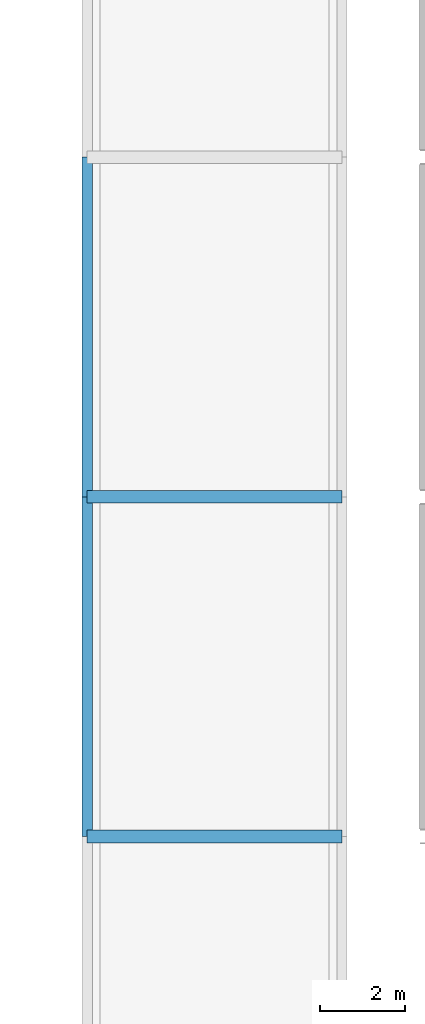
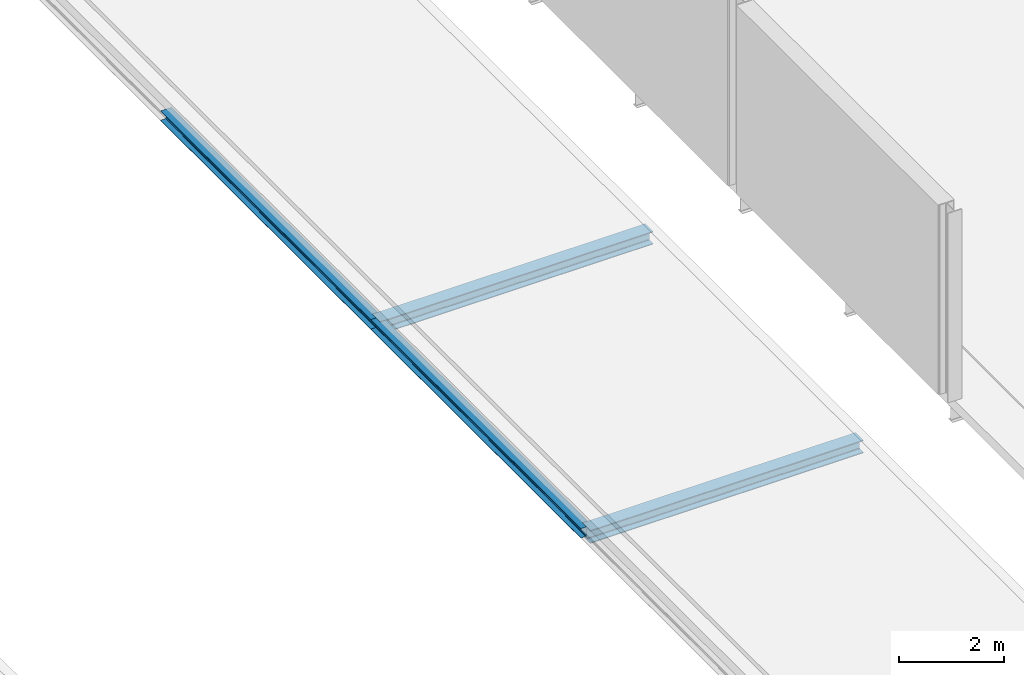
# One storey, part 65 of 153: 4 beams.
"""IFC4 building model written with IfcOpenShell, lengths in metres."""

import ifcopenshell
import ifcopenshell.guid

model = None  # the IFC model being written
_history = None  # IfcOwnerHistory: only IFC2X3 demands one
_inside = {}  # id of a spatial element -> (the spatial element, [elements in it])
_under = {}  # id of a project, library or spatial element -> (it, [spatial elements below it])
_declared = {}  # id of a project -> (the project, [libraries it declares])
_typed = {}  # id of a type object -> (the type object, [elements of that type])
_made_of = {}  # id of a material, layer set ... -> (it, [elements and type objects made of it])


def new_model(schema):
    """Start an empty IFC model of exactly this schema.

    Asked for "IFC4X3", IfcOpenShell would pick the latest addendum, in which some entities
    have other attributes; the version numbers below select the first issue.
    IFC2X3 requires an IfcOwnerHistory on every rooted entity: one is made here for all.
    """
    global model, _history
    if schema == "IFC4X3":
        model = ifcopenshell.file(schema_version=(4, 3, 0, 0))
    else:
        model = ifcopenshell.file(schema=schema)
    _inside.clear()
    _under.clear()
    _declared.clear()
    _typed.clear()
    _made_of.clear()
    _history = None
    if model.schema == "IFC2X3":
        org = make("IfcOrganization", Name="unknown")
        user = make(
            "IfcPersonAndOrganization",
            ThePerson=make("IfcPerson", FamilyName="unknown"),
            TheOrganization=org,
        )
        app = make(
            "IfcApplication",
            ApplicationDeveloper=org,
            Version="unknown",
            ApplicationFullName="unknown",
            ApplicationIdentifier="unknown",
        )
        _history = make(
            "IfcOwnerHistory",
            OwningUser=user,
            OwningApplication=app,
            ChangeAction="ADDED",
            CreationDate=0,
        )
    return model


def make(cls, **values):
    """One entity of the class cls with the attributes given. An attribute that is None is left unset."""
    return model.create_entity(
        cls, **{name: value for name, value in values.items() if value is not None}
    )


def rooted(cls, **values):
    """An entity with a GlobalId (a new one), such as an element, a storey or a relation."""
    return make(cls, GlobalId=ifcopenshell.guid.new(), OwnerHistory=_history, **values)


def si_unit(unit_type, name, prefix=None):
    """IfcSIUnit, for example si_unit("LENGTHUNIT", "METRE", prefix="MILLI")."""
    return make("IfcSIUnit", UnitType=unit_type, Prefix=prefix, Name=name)


def derived_unit(unit_type, elements):
    """IfcDerivedUnit: a product of units, each with its exponent."""
    return make(
        "IfcDerivedUnit",
        Elements=[
            make("IfcDerivedUnitElement", Unit=unit, Exponent=power)
            for unit, power in elements
        ],
        UnitType=unit_type,
    )


def assignment(units):
    """IfcUnitAssignment: the units of a project."""
    return None if units is None else make("IfcUnitAssignment", Units=units)


def point(xyz):
    """IfcCartesianPoint."""
    return None if xyz is None else make("IfcCartesianPoint", Coordinates=xyz)


def direction(xyz):
    """IfcDirection."""
    return None if xyz is None else make("IfcDirection", DirectionRatios=xyz)


def frame(location, z_axis=None, x_axis=None):
    """IfcAxis2Placement3D, a coordinate frame: its origin and axes. An axis left out is left unset."""
    return make(
        "IfcAxis2Placement3D",
        Location=point(location),
        Axis=direction(z_axis),
        RefDirection=direction(x_axis),
    )


def frame_2d(location, x_axis=None):
    """IfcAxis2Placement2D, a coordinate frame in the plane: its origin and x axis."""
    return make(
        "IfcAxis2Placement2D", Location=point(location), RefDirection=direction(x_axis)
    )


def origin():
    """The frame at (0, 0, 0) with its axes left unset."""
    return frame((0.0, 0.0, 0.0))


def origin_2d():
    """The frame at (0, 0) in the plane with its x axis left unset."""
    return frame_2d((0.0, 0.0))


def place(relative_to, where):
    """IfcLocalPlacement: puts the frame where relative to a parent placement (None: the world)."""
    return make(
        "IfcLocalPlacement", PlacementRelTo=relative_to, RelativePlacement=where
    )


def context(
    kind, dimensions, precision=None, world=None, true_north=None, identifier=None
):
    """IfcGeometricRepresentationContext, for example the 3D "Model" context."""
    return make(
        "IfcGeometricRepresentationContext",
        ContextIdentifier=identifier,
        ContextType=kind,
        CoordinateSpaceDimension=dimensions,
        Precision=precision,
        WorldCoordinateSystem=world,
        TrueNorth=true_north,
    )


def subcontext(parent, identifier, kind, view, scale=None):
    """IfcGeometricRepresentationSubContext, for example "Body" below "Model"."""
    return make(
        "IfcGeometricRepresentationSubContext",
        ContextIdentifier=identifier,
        ContextType=kind,
        ParentContext=parent,
        TargetScale=scale,
        TargetView=view,
    )


def project(units=None, contexts=None):
    """IfcProject with its units and contexts."""
    return rooted(
        "IfcProject",
        Name="project",
        RepresentationContexts=contexts,
        UnitsInContext=assignment(units),
    )


def spatial(cls, under=None, at=None, **own):
    """A site, building, storey or space (cls), placed at a placement, below another one or the project."""
    s = rooted(cls, ObjectPlacement=at, **own)
    if under is not None:
        _under.setdefault(under.id(), (under, []))[1].append(s)
    return s


def profile(cls, at=None, kind="AREA", **sizes):
    """A parametric profile (cls). Its sizes go by their IFC names, for example OverallWidth=200.0."""
    return make(cls, ProfileType=kind, Position=at, **sizes)


def i_section(**sizes):
    """IfcIShapeProfileDef."""
    return profile("IfcIShapeProfileDef", **sizes)


def extrude(swept, where, along, depth):
    """IfcExtrudedAreaSolid: the profile swept, set in the frame where, extruded along a direction by depth."""
    return make(
        "IfcExtrudedAreaSolid",
        SweptArea=swept,
        Position=where,
        ExtrudedDirection=direction(along),
        Depth=depth,
    )


def shape(context_of_items, identifier, shape_type, items):
    """IfcShapeRepresentation: the items that make up one representation, for example the "Body"."""
    return make(
        "IfcShapeRepresentation",
        ContextOfItems=context_of_items,
        RepresentationIdentifier=identifier,
        RepresentationType=shape_type,
        Items=items,
    )


def material(Name=None, Category=None):
    """IfcMaterial."""
    return make("IfcMaterial", Name=Name, Category=Category)


def material_profile(
    of_material, cross_section, Name=None, Category=None, Priority=None
):
    """IfcMaterialProfile: a cross section and its material."""
    return make(
        "IfcMaterialProfile",
        Name=Name,
        Material=of_material,
        Profile=cross_section,
        Priority=Priority,
        Category=Category,
    )


def profile_set(profiles, Name=None, composite=None):
    """IfcMaterialProfileSet."""
    return make(
        "IfcMaterialProfileSet",
        Name=Name,
        MaterialProfiles=profiles,
        CompositeProfile=composite,
    )


def made_of(thing, what):
    """Note that an element or type object is made of a material, layer set ...; save() writes the relation."""
    if what is not None:
        _made_of.setdefault(what.id(), (what, []))[1].append(thing)
    return thing


def type_object(cls, material=None, **own):
    """A type object (cls), such as IfcWallType, which elements share."""
    return made_of(rooted(cls, **own), material)


def element(
    cls,
    number,
    at=None,
    inside=None,
    cuts=None,
    type_object=None,
    material=None,
    context=None,
    identifier="Body",
    shape_type=None,
    held_by="IfcProductDefinitionShape",
    body=None,
    shapes=None,
    **own,
):
    """One element of the class cls, such as IfcWall. Its Tag is "e" and its number.

    at: its placement. inside: the storey or other place that contains it. cuts: it is an
    opening in that element (IfcRelVoidsElement). A single representation is given by context,
    identifier, shape_type and body (its items); several are given by shapes. held_by: the class
    of the entity that holds the representations. save() writes the other relations.
    """
    e = rooted(cls, Tag="e%d" % number, ObjectPlacement=at, **own)
    if body is not None:
        shapes = [shape(context, identifier, shape_type, body)]
    if shapes is not None:
        e.Representation = make(held_by, Representations=shapes)
    if inside is not None:
        _inside.setdefault(inside.id(), (inside, []))[1].append(e)
    if cuts is not None:
        rooted(
            "IfcRelVoidsElement", RelatingBuildingElement=cuts, RelatedOpeningElement=e
        )
    if type_object is not None:
        _typed.setdefault(type_object.id(), (type_object, []))[1].append(e)
    return made_of(e, material)


def aggregate(whole, parts):
    """IfcRelAggregates: a whole, such as a stair, and the parts it consists of."""
    return rooted("IfcRelAggregates", RelatingObject=whole, RelatedObjects=parts)


def save(model, path):
    """Write the relations noted so far, then the file.

    IfcRelAggregates (storeys below a building ...), IfcRelContainedInSpatialStructure (elements
    in a storey), IfcRelDefinesByType, IfcRelAssociatesMaterial and IfcRelDeclares: one each for
    every whole, place, type object, material and project.
    """
    for whole, parts in _under.values():
        aggregate(whole, parts)
    for where, things in _inside.values():
        rooted(
            "IfcRelContainedInSpatialStructure",
            RelatedElements=things,
            RelatingStructure=where,
        )
    for kind, things in _typed.values():
        rooted("IfcRelDefinesByType", RelatedObjects=things, RelatingType=kind)
    for what, things in _made_of.values():
        rooted("IfcRelAssociatesMaterial", RelatedObjects=things, RelatingMaterial=what)
    for by, libraries in _declared.values():
        rooted("IfcRelDeclares", RelatingContext=by, RelatedDefinitions=libraries)
    model.write(path)


model = new_model("IFC4")

# Units and contexts
model_context = context("Model", 3, precision=1e-05, world=origin(), true_north=direction((0.0, 1.0)))
body_context = subcontext(model_context, "Body", "Model", "MODEL_VIEW")
ifc_project = project(units=[si_unit("LENGTHUNIT", "METRE"), si_unit("AREAUNIT", "SQUARE_METRE"), si_unit("VOLUMEUNIT", "CUBIC_METRE"), si_unit("PLANEANGLEUNIT", "RADIAN"), si_unit("MASSUNIT", "GRAM", prefix="KILO"), derived_unit("THERMALTRANSMITTANCEUNIT", [(si_unit("POWERUNIT", "WATT"), 1), (si_unit("LENGTHUNIT", "METRE"), -2), (si_unit("THERMODYNAMICTEMPERATUREUNIT", "KELVIN"), -1)])], contexts=[model_context])

# Site, building, storey
site_placement = place(None, origin())
site = spatial("IfcSite", under=ifc_project, at=site_placement, CompositionType="ELEMENT")
building_placement = place(site_placement, origin())
building = spatial("IfcBuilding", under=site, at=building_placement, Name="Keldorne Ridge Multi-Sports Centre", CompositionType="ELEMENT")
storey_placement = place(building_placement, frame((0.0, 0.0, 9.60009765625)))
storey = spatial("IfcBuildingStorey", under=building, at=storey_placement, Name="L02", CompositionType="ELEMENT", Elevation=9.60009765625)

# Beams
ifc_material = material(Name="Steel S355", Category="steel")
ifc_material_profile_1 = material_profile(ifc_material, i_section(OverallWidth=0.300048828125, OverallDepth=0.300048828125, WebThickness=0.010986328125, FlangeThickness=0.01904296875, FilletRadius=0.027099609375, at=origin_2d()), Name="HEB 300")
ifc_profile_set_1 = profile_set([ifc_material_profile_1], Name="Steel S355")
beam_type_1 = type_object("IfcBeamType", Name="BM-B-14", PredefinedType="BEAM", material=ifc_profile_set_1)
for number, where, z_axis, x_axis, name in (
    (1, (96.0, 22.0, -0.380126953125), (1.0, 0.0, 0.0), (0.0, 1.0, 0.0), "L02 east skirt roof beam 3"),
    (2, (96.0, 30.0, -0.380126953125), (1.0, 0.0, 0.0), (0.0, 1.0, 0.0), "L02 east skirt roof beam 4"),
):
    element("IfcBeam", number, at=place(storey_placement, frame(where, z_axis=z_axis, x_axis=x_axis)), inside=storey, type_object=beam_type_1, Name=name, PredefinedType="BEAM", context=body_context, shape_type="SweptSolid", body=[
        extrude(i_section(OverallWidth=0.300048828125, OverallDepth=0.300048828125, WebThickness=0.010986328125, FlangeThickness=0.01904296875, FilletRadius=0.027099609375, at=origin_2d()), origin(), (0.0, 0.0, 1.0), 6.0),
    ])
ifc_material_profile_2 = material_profile(ifc_material, i_section(OverallWidth=0.239990234375, OverallDepth=0.22998046875, WebThickness=0.007568359375, FlangeThickness=0.011962890625, FilletRadius=0.02099609375, at=origin_2d()), Name="HEA 240")
ifc_profile_set_2 = profile_set([ifc_material_profile_2], Name="Steel S355")
beam_type_2 = type_object("IfcBeamType", Name="BM-SP-05", PredefinedType="SPANDREL", material=ifc_profile_set_2)
for number, where, z_axis, x_axis, name in (
    (3, (96.0, 22.0, -0.34521484375), (0.0, 1.0, 0.0), (-1.0, 0.0, 0.0), "L02 passage roof beam G14.3"),
    (4, (96.0, 30.0, -0.34521484375), (0.0, 1.0, 0.0), (-1.0, 0.0, 0.0), "L02 passage roof beam G14.4"),
):
    element("IfcBeam", number, at=place(storey_placement, frame(where, z_axis=z_axis, x_axis=x_axis)), inside=storey, type_object=beam_type_2, Name=name, PredefinedType="SPANDREL", context=body_context, shape_type="SweptSolid", body=[
        extrude(i_section(OverallWidth=0.239990234375, OverallDepth=0.22998046875, WebThickness=0.007568359375, FlangeThickness=0.011962890625, FilletRadius=0.02099609375, at=origin_2d()), origin(), (0.0, 0.0, 1.0), 8.0),
    ])

save(model, "model.ifc")
